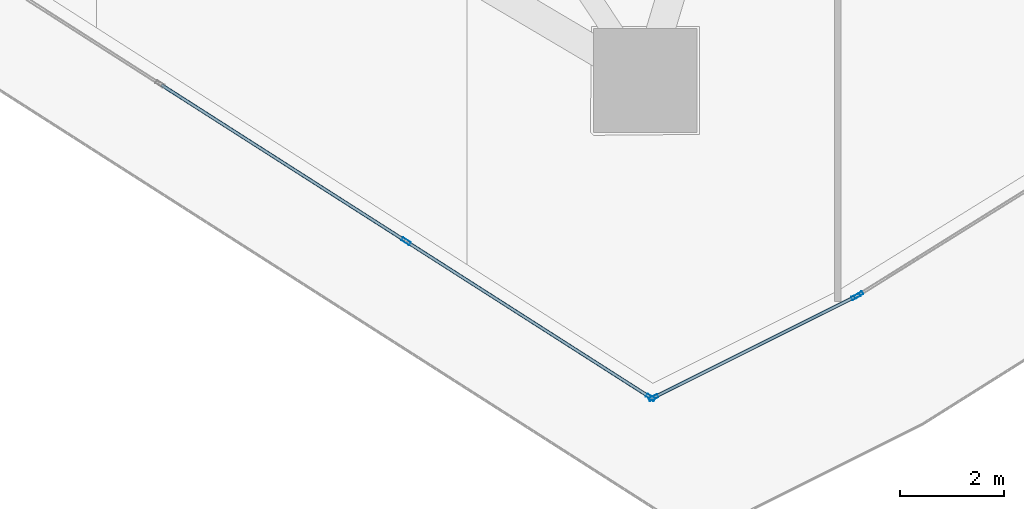
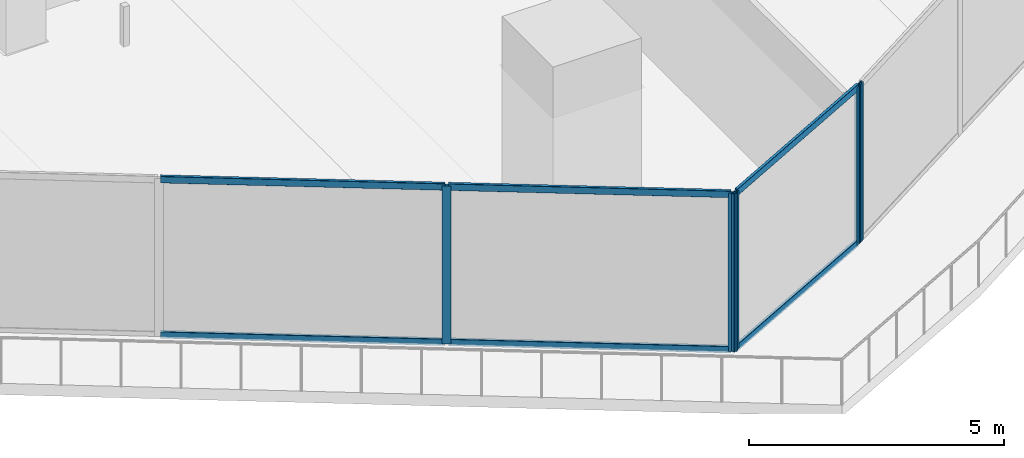
# One storey, part 9 of 36: 11 members, 3 elements without a shape of their own.
"""IFC4 building model written with IfcOpenShell, lengths in metres."""

from ifc_helpers import new_model, si_unit, direction, frame, origin, origin_2d, place, context, subcontext, project, spatial, hollow_rectangle, extrude, material, layer, layer_set, material_profile, profile_set, type_object, element, aggregate, save


model = new_model("IFC4")

# Units and contexts
model_context = context("Model", 3, precision=1e-05, world=origin(), true_north=direction((0.0, 1.0)))
body_context = subcontext(model_context, "Body", "Model", "MODEL_VIEW")
ifc_project = project(units=[si_unit("LENGTHUNIT", "METRE"), si_unit("AREAUNIT", "SQUARE_METRE"), si_unit("VOLUMEUNIT", "CUBIC_METRE"), si_unit("PLANEANGLEUNIT", "RADIAN"), si_unit("MASSUNIT", "GRAM", prefix="KILO")], contexts=[model_context])

# Site, building, storey
site_placement = place(None, origin())
site = spatial("IfcSite", under=ifc_project, at=site_placement, CompositionType="ELEMENT")
building_placement = place(site_placement, origin())
building = spatial("IfcBuilding", under=site, at=building_placement, Name="Qorvath Tower", CompositionType="ELEMENT")
storey_placement = place(building_placement, frame((0.0, 0.0, 192.89990234375)))
storey = spatial("IfcBuildingStorey", under=building, at=storey_placement, Name="L44", CompositionType="ELEMENT", Elevation=192.89990234375)

# Curtain wall, members
ifc_material_1 = material(Name="Anodised aluminium and triple low-E glass", Category="aluminium")
ifc_layer = layer(ifc_material_1, 0.179931640625)
ifc_layer_set = layer_set([ifc_layer], Name="CW-SYS-3")
curtain_wall_type = type_object("IfcCurtainWallType", Name="CW-SYS-3", PredefinedType="NOTDEFINED", material=ifc_layer_set)
curtain_wall_1_placement = place(storey_placement, origin())
curtain_wall_1 = element("IfcCurtainWall", 1, at=curtain_wall_1_placement, inside=storey, type_object=curtain_wall_type, Name="Curtain Wall CW-3 CW-T-L44-2.1", PredefinedType="NOTDEFINED")
ifc_material_2 = material(Name="Anodised aluminium 6063-T6", Category="aluminium")
ifc_material_profile_1 = material_profile(ifc_material_2, hollow_rectangle(XDim=0.06494140625, YDim=0.179931640625, WallThickness=0.00341796875, InnerFilletRadius=0.00341796875, OuterFilletRadius=0.007080078125, at=origin_2d()), Name="CWM 180x65")
ifc_profile_set_1 = profile_set([ifc_material_profile_1], Name="Anodised aluminium 6063-T6")
member_type_1 = type_object("IfcMemberType", Name="CWM-180", PredefinedType="MULLION", material=ifc_profile_set_1)
member_1_placement = place(storey_placement, frame((-21.495361328125, -24.733642578125, 0.0), z_axis=(0.0, 0.0, 1.0), x_axis=(0.538533623725, 0.842604020948, 0.0)))
member_1 = element("IfcMember", 2, at=member_1_placement, type_object=member_type_1, Name="CW-3 mullion 8", PredefinedType="MULLION", context=body_context, shape_type="SweptSolid", body=[
    extrude(hollow_rectangle(XDim=0.06494140625, YDim=0.179931640625, WallThickness=0.00341796875, InnerFilletRadius=0.00341796875, OuterFilletRadius=0.007080078125, at=origin_2d()), origin(), (0.0, 0.0, 1.0), 3.780029296875),
])
member_2_placement = place(storey_placement, frame((-16.770263671875, -27.75341796875, 0.0), z_axis=(0.0, 0.0, 1.0), x_axis=(0.538533623725, 0.842604020948, 0.0)))
member_2 = element("IfcMember", 3, at=member_2_placement, type_object=member_type_1, Name="CW-3 mullion 9", PredefinedType="MULLION", context=body_context, shape_type="SweptSolid", body=[
    extrude(hollow_rectangle(XDim=0.06494140625, YDim=0.179931640625, WallThickness=0.00341796875, InnerFilletRadius=0.00341796875, OuterFilletRadius=0.007080078125, at=origin_2d()), origin(), (0.0, 0.0, 1.0), 3.780029296875),
])

curtain_wall_2_placement = place(storey_placement, origin())
curtain_wall_2 = element("IfcCurtainWall", 4, at=curtain_wall_2_placement, inside=storey, type_object=curtain_wall_type, Name="Curtain Wall CW-3 CW-T-L44-3.1", PredefinedType="NOTDEFINED")
member_3_placement = place(storey_placement, frame((-16.7138671875, -27.75634765625, 0.0), z_axis=(0.0, 0.0, 1.0), x_axis=(-0.44720457744, 0.894431699973, 0.0)))
member_3 = element("IfcMember", 5, at=member_3_placement, type_object=member_type_1, Name="CW-3 mullion 1", PredefinedType="MULLION", context=body_context, shape_type="SweptSolid", body=[
    extrude(hollow_rectangle(XDim=0.06494140625, YDim=0.179931640625, WallThickness=0.00341796875, InnerFilletRadius=0.00341796875, OuterFilletRadius=0.007080078125, at=origin_2d()), origin(), (0.0, 0.0, 1.0), 3.780029296875),
])
member_4_placement = place(storey_placement, frame((-12.8046875, -25.802001953125, 0.0), z_axis=(0.0, 0.0, 1.0), x_axis=(-0.44720457744, 0.894431699973, 0.0)))
member_4 = element("IfcMember", 6, at=member_4_placement, type_object=member_type_1, Name="CW-3 mullion 2", PredefinedType="MULLION", context=body_context, shape_type="SweptSolid", body=[
    extrude(hollow_rectangle(XDim=0.06494140625, YDim=0.179931640625, WallThickness=0.00341796875, InnerFilletRadius=0.00341796875, OuterFilletRadius=0.007080078125, at=origin_2d()), origin(), (0.0, 0.0, 1.0), 3.780029296875),
])

# Curtain wall, member
curtain_wall_3_placement = place(storey_placement, origin())
curtain_wall_3 = element("IfcCurtainWall", 7, at=curtain_wall_3_placement, inside=storey, type_object=curtain_wall_type, Name="Curtain Wall CW-3 CW-T-L44-4.1", PredefinedType="NOTDEFINED")
member_5_placement = place(storey_placement, frame((-12.748046875, -25.770263671875, 0.0), z_axis=(0.0, 0.0, 1.0), x_axis=(-0.529206179006, 0.848493264618, 0.0)))
member_5 = element("IfcMember", 8, at=member_5_placement, type_object=member_type_1, Name="CW-3 mullion 1", PredefinedType="MULLION", context=body_context, shape_type="SweptSolid", body=[
    extrude(hollow_rectangle(XDim=0.06494140625, YDim=0.179931640625, WallThickness=0.00341796875, InnerFilletRadius=0.00341796875, OuterFilletRadius=0.007080078125, at=origin_2d()), origin(), (0.0, 0.0, 1.0), 3.780029296875),
])
aggregate(curtain_wall_3, [member_5])

# Member
ifc_material_3 = material(Name="Anodised aluminium 6063-T6", Category="aluminium")
ifc_material_profile_2 = material_profile(ifc_material_3, hollow_rectangle(XDim=0.06494140625, YDim=0.159912109375, WallThickness=0.00341796875, InnerFilletRadius=0.00341796875, OuterFilletRadius=0.007080078125, at=origin_2d()), Name="CWT 160x65")
ifc_profile_set_2 = profile_set([ifc_material_profile_2], Name="Anodised aluminium 6063-T6")
member_type_2 = type_object("IfcMemberType", Name="CWT-160", PredefinedType="USERDEFINED", material=ifc_profile_set_2)
member_6_placement = place(storey_placement, frame((-26.220458984375, -21.713623046875, 0.032470703125), z_axis=(0.842606844645, -0.538529205667, 0.0), x_axis=(0.538529205667, 0.842606844645, 0.0)))
member_6 = element("IfcMember", 9, at=member_6_placement, type_object=member_type_2, Name="CW-3 transom 7.1", ObjectType="TRANSOM", PredefinedType="USERDEFINED", context=body_context, shape_type="SweptSolid", body=[
    extrude(hollow_rectangle(XDim=0.06494140625, YDim=0.159912109375, WallThickness=0.00341796875, InnerFilletRadius=0.00341796875, OuterFilletRadius=0.007080078125, at=origin_2d()), origin(), (0.0, 0.0, 1.0), 5.5751953125),
])

member_7_placement = place(storey_placement, frame((-26.220458984375, -21.713623046875, 3.74755859375), z_axis=(0.842606844645, -0.538529205667, 0.0), x_axis=(0.538529205667, 0.842606844645, 0.0)))
member_7 = element("IfcMember", 10, at=member_7_placement, type_object=member_type_2, Name="CW-3 transom 7.2", ObjectType="TRANSOM", PredefinedType="USERDEFINED", context=body_context, shape_type="SweptSolid", body=[
    extrude(hollow_rectangle(XDim=0.06494140625, YDim=0.159912109375, WallThickness=0.00341796875, InnerFilletRadius=0.00341796875, OuterFilletRadius=0.007080078125, at=origin_2d()), origin(), (0.0, 0.0, 1.0), 5.5751953125),
])

member_8_placement = place(storey_placement, frame((-21.468017578125, -24.7509765625, 0.032470703125), z_axis=(0.842595217297, -0.538547397903, 0.0), x_axis=(0.538547397903, 0.842595217297, 0.0)))
member_8 = element("IfcMember", 11, at=member_8_placement, type_object=member_type_2, Name="CW-3 transom 8.1", ObjectType="TRANSOM", PredefinedType="USERDEFINED", context=body_context, shape_type="SweptSolid", body=[
    extrude(hollow_rectangle(XDim=0.06494140625, YDim=0.159912109375, WallThickness=0.00341796875, InnerFilletRadius=0.00341796875, OuterFilletRadius=0.007080078125, at=origin_2d()), origin(), (0.0, 0.0, 1.0), 5.54296875),
])

member_9_placement = place(storey_placement, frame((-21.468017578125, -24.7509765625, 3.74755859375), z_axis=(0.842595217297, -0.538547397903, 0.0), x_axis=(0.538547397903, 0.842595217297, 0.0)))
member_9 = element("IfcMember", 12, at=member_9_placement, type_object=member_type_2, Name="CW-3 transom 8.2", ObjectType="TRANSOM", PredefinedType="USERDEFINED", context=body_context, shape_type="SweptSolid", body=[
    extrude(hollow_rectangle(XDim=0.06494140625, YDim=0.159912109375, WallThickness=0.00341796875, InnerFilletRadius=0.00341796875, OuterFilletRadius=0.007080078125, at=origin_2d()), origin(), (0.0, 0.0, 1.0), 5.54296875),
])

aggregate(curtain_wall_1, [member_1, member_2, member_6, member_7, member_8, member_9])

member_10_placement = place(storey_placement, frame((-16.684814453125, -27.741943359375, 0.032470703125), z_axis=(0.894427191, 0.4472135955, 0.0), x_axis=(-0.4472135955, 0.894427191, 0.0)))
member_10 = element("IfcMember", 13, at=member_10_placement, type_object=member_type_2, Name="CW-3 transom 1.1", ObjectType="TRANSOM", PredefinedType="USERDEFINED", context=body_context, shape_type="SweptSolid", body=[
    extrude(hollow_rectangle(XDim=0.06494140625, YDim=0.159912109375, WallThickness=0.00341796875, InnerFilletRadius=0.00341796875, OuterFilletRadius=0.007080078125, at=origin_2d()), origin(), (0.0, 0.0, 1.0), 4.3056640625),
])

member_11_placement = place(storey_placement, frame((-16.684814453125, -27.741943359375, 3.74755859375), z_axis=(0.894427191, 0.4472135955, 0.0), x_axis=(-0.4472135955, 0.894427191, 0.0)))
member_11 = element("IfcMember", 14, at=member_11_placement, type_object=member_type_2, Name="CW-3 transom 1.2", ObjectType="TRANSOM", PredefinedType="USERDEFINED", context=body_context, shape_type="SweptSolid", body=[
    extrude(hollow_rectangle(XDim=0.06494140625, YDim=0.159912109375, WallThickness=0.00341796875, InnerFilletRadius=0.00341796875, OuterFilletRadius=0.007080078125, at=origin_2d()), origin(), (0.0, 0.0, 1.0), 4.3056640625),
])

aggregate(curtain_wall_2, [member_3, member_4, member_10, member_11])

save(model, "model.ifc")
